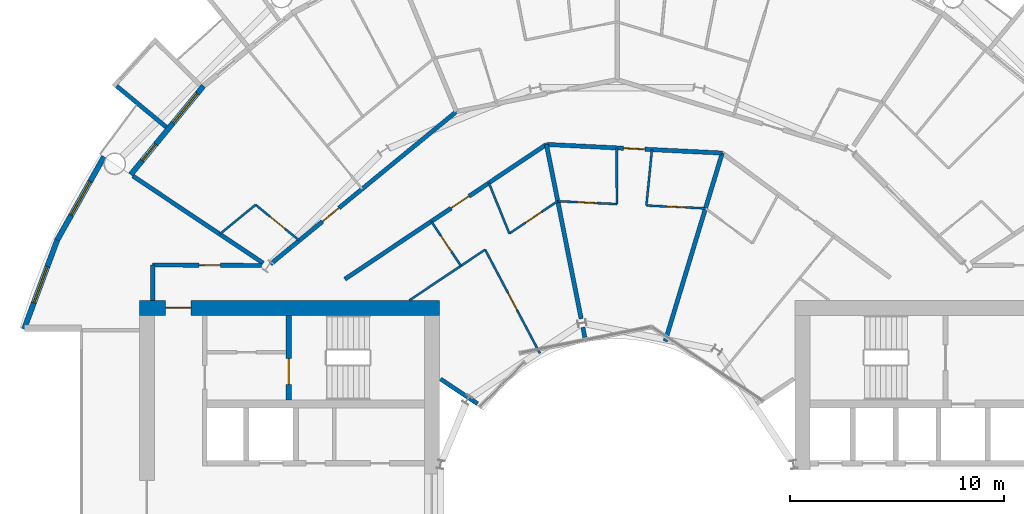
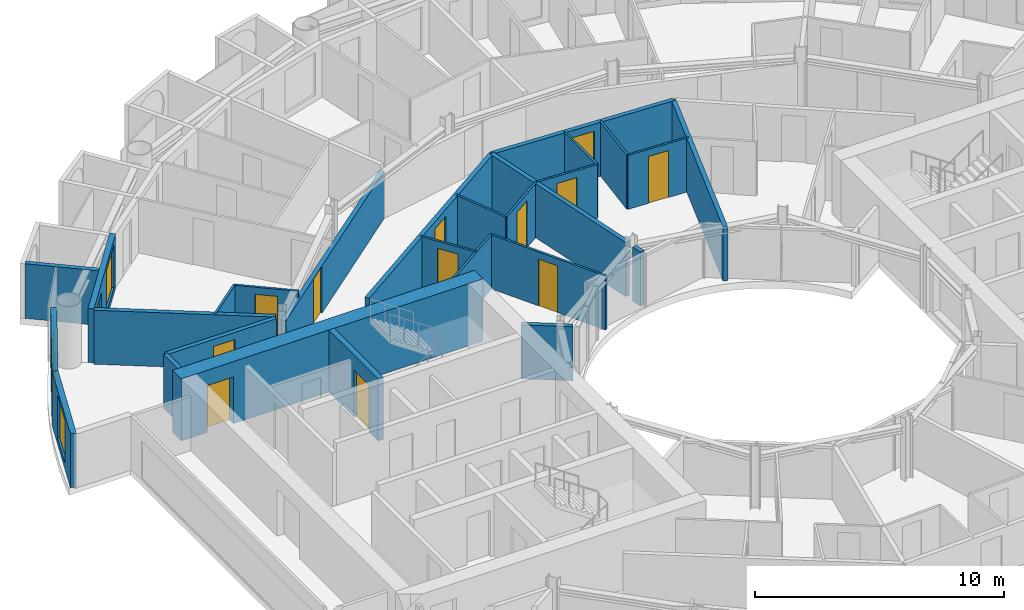
# One storey, part 18 of 25: 27 walls, 13 doors, 3 windows, 16 openings.
"""IFC4 building model written with IfcOpenShell, lengths in metres."""

import ifcopenshell
import ifcopenshell.guid

model = None  # the IFC model being written
_history = None  # IfcOwnerHistory: only IFC2X3 demands one
_inside = {}  # id of a spatial element -> (the spatial element, [elements in it])
_under = {}  # id of a project, library or spatial element -> (it, [spatial elements below it])
_declared = {}  # id of a project -> (the project, [libraries it declares])
_typed = {}  # id of a type object -> (the type object, [elements of that type])
_made_of = {}  # id of a material, layer set ... -> (it, [elements and type objects made of it])


def new_model(schema):
    """Start an empty IFC model of exactly this schema.

    Asked for "IFC4X3", IfcOpenShell would pick the latest addendum, in which some entities
    have other attributes; the version numbers below select the first issue.
    IFC2X3 requires an IfcOwnerHistory on every rooted entity: one is made here for all.
    """
    global model, _history
    if schema == "IFC4X3":
        model = ifcopenshell.file(schema_version=(4, 3, 0, 0))
    else:
        model = ifcopenshell.file(schema=schema)
    _inside.clear()
    _under.clear()
    _declared.clear()
    _typed.clear()
    _made_of.clear()
    _history = None
    if model.schema == "IFC2X3":
        org = make("IfcOrganization", Name="unknown")
        user = make(
            "IfcPersonAndOrganization",
            ThePerson=make("IfcPerson", FamilyName="unknown"),
            TheOrganization=org,
        )
        app = make(
            "IfcApplication",
            ApplicationDeveloper=org,
            Version="unknown",
            ApplicationFullName="unknown",
            ApplicationIdentifier="unknown",
        )
        _history = make(
            "IfcOwnerHistory",
            OwningUser=user,
            OwningApplication=app,
            ChangeAction="ADDED",
            CreationDate=0,
        )
    return model


def make(cls, **values):
    """One entity of the class cls with the attributes given. An attribute that is None is left unset."""
    return model.create_entity(
        cls, **{name: value for name, value in values.items() if value is not None}
    )


def rooted(cls, **values):
    """An entity with a GlobalId (a new one), such as an element, a storey or a relation."""
    return make(cls, GlobalId=ifcopenshell.guid.new(), OwnerHistory=_history, **values)


def si_unit(unit_type, name, prefix=None):
    """IfcSIUnit, for example si_unit("LENGTHUNIT", "METRE", prefix="MILLI")."""
    return make("IfcSIUnit", UnitType=unit_type, Prefix=prefix, Name=name)


def assignment(units):
    """IfcUnitAssignment: the units of a project."""
    return None if units is None else make("IfcUnitAssignment", Units=units)


def point(xyz):
    """IfcCartesianPoint."""
    return None if xyz is None else make("IfcCartesianPoint", Coordinates=xyz)


def direction(xyz):
    """IfcDirection."""
    return None if xyz is None else make("IfcDirection", DirectionRatios=xyz)


def frame(location, z_axis=None, x_axis=None):
    """IfcAxis2Placement3D, a coordinate frame: its origin and axes. An axis left out is left unset."""
    return make(
        "IfcAxis2Placement3D",
        Location=point(location),
        Axis=direction(z_axis),
        RefDirection=direction(x_axis),
    )


def frame_2d(location, x_axis=None):
    """IfcAxis2Placement2D, a coordinate frame in the plane: its origin and x axis."""
    return make(
        "IfcAxis2Placement2D", Location=point(location), RefDirection=direction(x_axis)
    )


def origin():
    """The frame at (0, 0, 0) with its axes left unset."""
    return frame((0.0, 0.0, 0.0))


def place(relative_to, where):
    """IfcLocalPlacement: puts the frame where relative to a parent placement (None: the world)."""
    return make(
        "IfcLocalPlacement", PlacementRelTo=relative_to, RelativePlacement=where
    )


def context(
    kind, dimensions, precision=None, world=None, true_north=None, identifier=None
):
    """IfcGeometricRepresentationContext, for example the 3D "Model" context."""
    return make(
        "IfcGeometricRepresentationContext",
        ContextIdentifier=identifier,
        ContextType=kind,
        CoordinateSpaceDimension=dimensions,
        Precision=precision,
        WorldCoordinateSystem=world,
        TrueNorth=true_north,
    )


def subcontext(parent, identifier, kind, view, scale=None):
    """IfcGeometricRepresentationSubContext, for example "Body" below "Model"."""
    return make(
        "IfcGeometricRepresentationSubContext",
        ContextIdentifier=identifier,
        ContextType=kind,
        ParentContext=parent,
        TargetScale=scale,
        TargetView=view,
    )


def project(units=None, contexts=None):
    """IfcProject with its units and contexts."""
    return rooted(
        "IfcProject",
        Name="project",
        RepresentationContexts=contexts,
        UnitsInContext=assignment(units),
    )


def spatial(cls, under=None, at=None, **own):
    """A site, building, storey or space (cls), placed at a placement, below another one or the project."""
    s = rooted(cls, ObjectPlacement=at, **own)
    if under is not None:
        _under.setdefault(under.id(), (under, []))[1].append(s)
    return s


def profile(cls, at=None, kind="AREA", **sizes):
    """A parametric profile (cls). Its sizes go by their IFC names, for example OverallWidth=200.0."""
    return make(cls, ProfileType=kind, Position=at, **sizes)


def rectangle(**sizes):
    """IfcRectangleProfileDef."""
    return profile("IfcRectangleProfileDef", **sizes)


def extrude(swept, where, along, depth):
    """IfcExtrudedAreaSolid: the profile swept, set in the frame where, extruded along a direction by depth."""
    return make(
        "IfcExtrudedAreaSolid",
        SweptArea=swept,
        Position=where,
        ExtrudedDirection=direction(along),
        Depth=depth,
    )


def shape(context_of_items, identifier, shape_type, items):
    """IfcShapeRepresentation: the items that make up one representation, for example the "Body"."""
    return make(
        "IfcShapeRepresentation",
        ContextOfItems=context_of_items,
        RepresentationIdentifier=identifier,
        RepresentationType=shape_type,
        Items=items,
    )


def material(Name=None, Category=None):
    """IfcMaterial."""
    return make("IfcMaterial", Name=Name, Category=Category)


def layer(
    of_material, thickness, ventilated=None, Name=None, Category=None, Priority=None
):
    """IfcMaterialLayer: one layer of a wall or slab, of a material (None: an air gap)."""
    return make(
        "IfcMaterialLayer",
        Material=of_material,
        LayerThickness=thickness,
        IsVentilated=ventilated,
        Name=Name,
        Category=Category,
        Priority=Priority,
    )


def layer_set(layers, Name=None):
    """IfcMaterialLayerSet."""
    return make("IfcMaterialLayerSet", MaterialLayers=layers, LayerSetName=Name)


def made_of(thing, what):
    """Note that an element or type object is made of a material, layer set ...; save() writes the relation."""
    if what is not None:
        _made_of.setdefault(what.id(), (what, []))[1].append(thing)
    return thing


def type_object(cls, material=None, **own):
    """A type object (cls), such as IfcWallType, which elements share."""
    return made_of(rooted(cls, **own), material)


def element(
    cls,
    number,
    at=None,
    inside=None,
    cuts=None,
    type_object=None,
    material=None,
    context=None,
    identifier="Body",
    shape_type=None,
    held_by="IfcProductDefinitionShape",
    body=None,
    shapes=None,
    **own,
):
    """One element of the class cls, such as IfcWall. Its Tag is "e" and its number.

    at: its placement. inside: the storey or other place that contains it. cuts: it is an
    opening in that element (IfcRelVoidsElement). A single representation is given by context,
    identifier, shape_type and body (its items); several are given by shapes. held_by: the class
    of the entity that holds the representations. save() writes the other relations.
    """
    e = rooted(cls, Tag="e%d" % number, ObjectPlacement=at, **own)
    if body is not None:
        shapes = [shape(context, identifier, shape_type, body)]
    if shapes is not None:
        e.Representation = make(held_by, Representations=shapes)
    if inside is not None:
        _inside.setdefault(inside.id(), (inside, []))[1].append(e)
    if cuts is not None:
        rooted(
            "IfcRelVoidsElement", RelatingBuildingElement=cuts, RelatedOpeningElement=e
        )
    if type_object is not None:
        _typed.setdefault(type_object.id(), (type_object, []))[1].append(e)
    return made_of(e, material)


def fill(opening, filler):
    """IfcRelFillsElement: the door or window that sits in an opening."""
    return rooted(
        "IfcRelFillsElement",
        RelatingOpeningElement=opening,
        RelatedBuildingElement=filler,
    )


def aggregate(whole, parts):
    """IfcRelAggregates: a whole, such as a stair, and the parts it consists of."""
    return rooted("IfcRelAggregates", RelatingObject=whole, RelatedObjects=parts)


def save(model, path):
    """Write the relations noted so far, then the file.

    IfcRelAggregates (storeys below a building ...), IfcRelContainedInSpatialStructure (elements
    in a storey), IfcRelDefinesByType, IfcRelAssociatesMaterial and IfcRelDeclares: one each for
    every whole, place, type object, material and project.
    """
    for whole, parts in _under.values():
        aggregate(whole, parts)
    for where, things in _inside.values():
        rooted(
            "IfcRelContainedInSpatialStructure",
            RelatedElements=things,
            RelatingStructure=where,
        )
    for kind, things in _typed.values():
        rooted("IfcRelDefinesByType", RelatedObjects=things, RelatingType=kind)
    for what, things in _made_of.values():
        rooted("IfcRelAssociatesMaterial", RelatedObjects=things, RelatingMaterial=what)
    for by, libraries in _declared.values():
        rooted("IfcRelDeclares", RelatingContext=by, RelatedDefinitions=libraries)
    model.write(path)


model = new_model("IFC4")

# Units and contexts
model_context = context("Model", 3, precision=1e-05, world=origin(), true_north=direction((0.0, 1.0)))
body_context = subcontext(model_context, "Body", "Model", "MODEL_VIEW")
ifc_project = project(units=[si_unit("LENGTHUNIT", "METRE"), si_unit("AREAUNIT", "SQUARE_METRE"), si_unit("VOLUMEUNIT", "CUBIC_METRE"), si_unit("PLANEANGLEUNIT", "RADIAN"), si_unit("MASSUNIT", "GRAM", prefix="KILO")], contexts=[model_context])

# Site, building, storey
site_placement = place(None, origin())
site = spatial("IfcSite", under=ifc_project, at=site_placement, CompositionType="ELEMENT")
building_placement = place(site_placement, origin())
building = spatial("IfcBuilding", under=site, at=building_placement, Name="Maasbend Ring Residences", CompositionType="ELEMENT")
storey_placement = place(building_placement, frame((0.0, 0.0, 94.10009765625)))
storey = spatial("IfcBuildingStorey", under=building, at=storey_placement, Name="L27", CompositionType="ELEMENT", Elevation=94.10009765625)

# Wall, opening, door
ifc_material_1 = material(Name="Concrete C70/85", Category="concrete")
ifc_layer_1 = layer(ifc_material_1, 0.25)
ifc_layer_set_1 = layer_set([ifc_layer_1], Name="Concrete C70/85")
wall_type_1 = type_object("IfcWallType", Name="CORE WALL 250 C70/85", PredefinedType="SHEAR", material=ifc_layer_set_1)
wall_1_placement = place(storey_placement, frame((-15.324951171875, 8.60009765625, 0.0), z_axis=(0.0, 0.0, 1.0), x_axis=(0.0, -1.0, 0.0)))
wall_1 = element("IfcWall", 1, at=wall_1_placement, inside=storey, type_object=wall_type_1, Name="L27 core W wall STES", PredefinedType="SHEAR", context=body_context, shape_type="SweptSolid", body=[
    extrude(rectangle(XDim=3.9501953125, YDim=0.25, at=frame_2d((1.97509765625, 0.0))), origin(), (0.0, 0.0, 1.0), 3.0498046875),
])
opening_1_placement = place(wall_1_placement, frame((2.02490234375, 0.0, 0.0)))
opening_1 = element("IfcOpeningElement", 2, at=opening_1_placement, cuts=wall_1, Name="Opening D-W2710", PredefinedType="OPENING", context=body_context, shape_type="SweptSolid", body=[
    extrude(rectangle(XDim=1.199951171875, YDim=2.300048828125, at=frame_2d((0.60009765625, 1.14990234375))), frame((0.0, 0.135009765625, 0.0), z_axis=(0.0, -1.0, 0.0), x_axis=(1.0, 0.0, 0.0)), (0.0, 0.0, 1.0), 0.27001953125),
])
ifc_material_2 = material(Name="Steel, powder coated", Category="steel")
door_type_1 = type_object("IfcDoorType", Name="STAIR DOOR 1200 X 2300 FD60", OperationType="NOTDEFINED", PredefinedType="DOOR", material=ifc_material_2)
door_1_placement = place(opening_1_placement, origin())
door_1 = element("IfcDoor", 3, at=door_1_placement, inside=storey, type_object=door_type_1, Name="Stair door ST-W L27", OperationType="SINGLE_SWING_LEFT", OverallHeight=2.300048828125, OverallWidth=1.199951171875, PredefinedType="DOOR", context=body_context, shape_type="SweptSolid", body=[
    extrude(rectangle(XDim=1.199951171875, YDim=2.300048828125, at=frame_2d((0.60009765625, 1.14990234375))), frame((0.0, 0.02490234375, 0.0), z_axis=(0.0, -1.0, 0.0), x_axis=(1.0, 0.0, 0.0)), (0.0, 0.0, 1.0), 0.050048828125),
])
fill(opening_1, door_1)

ifc_material_3 = material(Name="Concrete C70/85", Category="concrete")
ifc_layer_2 = layer(ifc_material_3, 0.699951171875)
ifc_layer_set_2 = layer_set([ifc_layer_2], Name="Concrete C70/85")
wall_type_2 = type_object("IfcWallType", Name="CORE WALL 700 C70/85", PredefinedType="SHEAR", material=ifc_layer_set_2)
wall_2_placement = place(storey_placement, frame((-8.300048828125, 8.949951171875, 0.0), z_axis=(0.0, 0.0, 1.0), x_axis=(-1.0, 0.0, 0.0)))
wall_2 = element("IfcWall", 4, at=wall_2_placement, inside=storey, type_object=wall_type_2, Name="L27 core W wall PS", PredefinedType="SHEAR", context=body_context, shape_type="SweptSolid", body=[
    extrude(rectangle(XDim=14.0, YDim=0.699951171875, at=frame_2d((7.0, 0.0))), origin(), (0.0, 0.0, 1.0), 3.0498046875),
])
opening_2_placement = place(wall_2_placement, frame((11.574951171875, 0.0, 0.0)))
opening_2 = element("IfcOpeningElement", 5, at=opening_2_placement, cuts=wall_2, Name="Opening D-W2714", PredefinedType="OPENING", context=body_context, shape_type="SweptSolid", body=[
    extrude(rectangle(XDim=1.199951171875, YDim=2.300048828125, at=frame_2d((0.60009765625, 1.14990234375))), frame((0.0, 0.35986328125, 0.0), z_axis=(0.0, -1.0, 0.0), x_axis=(1.0, 0.0, 0.0)), (0.0, 0.0, 1.0), 0.719970703125),
])
ifc_material_4 = material(Name="Steel, powder coated", Category="steel")
door_type_2 = type_object("IfcDoorType", Name="CORRIDOR DOOR 1200 X 2300 FD30S", OperationType="NOTDEFINED", PredefinedType="DOOR", material=ifc_material_4)
door_2_placement = place(opening_2_placement, origin())
door_2 = element("IfcDoor", 6, at=door_2_placement, inside=storey, type_object=door_type_2, Name="Corridor door L27", OperationType="SINGLE_SWING_LEFT", OverallHeight=2.300048828125, OverallWidth=1.199951171875, PredefinedType="DOOR", context=body_context, shape_type="SweptSolid", body=[
    extrude(rectangle(XDim=1.199951171875, YDim=2.300048828125, at=frame_2d((0.60009765625, 1.14990234375))), frame((0.0, 0.02490234375, 0.0), z_axis=(0.0, -1.0, 0.0), x_axis=(1.0, 0.0, 0.0)), (0.0, 0.0, 1.0), 0.050048828125),
])
fill(opening_2, door_2)

ifc_material_5 = material(Name="Concrete C30/37", Category="concrete")
ifc_layer_3 = layer(ifc_material_5, 0.199951171875)
ifc_layer_set_3 = layer_set([ifc_layer_3], Name="Concrete C30/37")
wall_type_3 = type_object("IfcWallType", Name="CORRIDOR WALL 200 CONCRETE", PredefinedType="PARTITIONING", material=ifc_layer_set_3)
wall_3_placement = place(storey_placement, frame((-21.675048828125, 10.949951171875, 0.0), z_axis=(0.0, 0.0, 1.0), x_axis=(0.999988944514, -0.004702217579, 0.0)))
wall_3 = element("IfcWall", 7, at=wall_3_placement, inside=storey, type_object=wall_type_3, Name="U-L27-w088", PredefinedType="PARTITIONING", context=body_context, shape_type="SweptSolid", body=[
    extrude(rectangle(XDim=5.088134765625, YDim=0.199951171875, at=frame_2d((2.5439453125, 0.0))), origin(), (0.0, 0.0, 1.0), 2.64990234375),
])
opening_3_placement = place(wall_3_placement, frame((2.162109375, 0.0, 0.0)))
opening_3 = element("IfcOpeningElement", 8, at=opening_3_placement, cuts=wall_3, Name="Opening D-2764", PredefinedType="OPENING", context=body_context, shape_type="SweptSolid", body=[
    extrude(rectangle(XDim=1.0, YDim=2.300048828125, at=frame_2d((0.5, 1.14990234375))), frame((0.0, 0.10986328125, 0.0), z_axis=(0.0, -1.0, 0.0), x_axis=(1.0, 0.0, 0.0)), (0.0, 0.0, 1.0), 0.219970703125),
])
ifc_material_6 = material(Name="Timber, painted", Category="wood")
door_type_3 = type_object("IfcDoorType", Name="ROOM DOOR 1000 X 2300", OperationType="NOTDEFINED", PredefinedType="DOOR", material=ifc_material_6)
door_3_placement = place(opening_3_placement, origin())
door_3 = element("IfcDoor", 9, at=door_3_placement, inside=storey, type_object=door_type_3, Name="D-2764", OperationType="SINGLE_SWING_RIGHT", OverallHeight=2.300048828125, OverallWidth=1.0, PredefinedType="DOOR", context=body_context, shape_type="SweptSolid", body=[
    extrude(rectangle(XDim=1.0, YDim=2.300048828125, at=frame_2d((0.5, 1.14990234375))), frame((0.0, 0.02490234375, 0.0), z_axis=(0.0, -1.0, 0.0), x_axis=(1.0, 0.0, 0.0)), (0.0, 0.0, 1.0), 0.050048828125),
])
fill(opening_3, door_3)

wall_4_placement = place(storey_placement, frame((-12.7080078125, 10.285888671875, 0.0), z_axis=(0.0, 0.0, 1.0), x_axis=(0.831405725802, 0.555665834026, 0.0)))
wall_4 = element("IfcWall", 10, at=wall_4_placement, inside=storey, type_object=wall_type_3, Name="U-L27-w095", PredefinedType="PARTITIONING", context=body_context, shape_type="SweptSolid", body=[
    extrude(rectangle(XDim=11.314453125, YDim=0.199951171875, at=frame_2d((5.6572265625, 0.0))), origin(), (0.0, 0.0, 1.0), 2.64990234375),
])
opening_4_placement = place(wall_4_placement, frame((5.968994140625, 0.0, 0.0)))
opening_4 = element("IfcOpeningElement", 11, at=opening_4_placement, cuts=wall_4, Name="Opening D-2728", PredefinedType="OPENING", context=body_context, shape_type="SweptSolid", body=[
    extrude(rectangle(XDim=1.0, YDim=2.300048828125, at=frame_2d((0.5, 1.14990234375))), frame((0.0, 0.10986328125, 0.0), z_axis=(0.0, -1.0, 0.0), x_axis=(1.0, 0.0, 0.0)), (0.0, 0.0, 1.0), 0.219970703125),
])
ifc_material_7 = material(Name="Timber, fire-rated, painted", Category="wood")
door_type_4 = type_object("IfcDoorType", Name="FLAT ENTRANCE DOOR 1000 X 2300 FIRE-RATED", OperationType="NOTDEFINED", PredefinedType="DOOR", material=ifc_material_7)
door_4_placement = place(opening_4_placement, origin())
door_4 = element("IfcDoor", 12, at=door_4_placement, inside=storey, type_object=door_type_4, Name="D-2728", OperationType="SINGLE_SWING_RIGHT", OverallHeight=2.300048828125, OverallWidth=1.0, PredefinedType="DOOR", context=body_context, shape_type="SweptSolid", body=[
    extrude(rectangle(XDim=1.0, YDim=2.300048828125, at=frame_2d((0.5, 1.14990234375))), frame((0.0, 0.02490234375, 0.0), z_axis=(0.0, -1.0, 0.0), x_axis=(1.0, 0.0, 0.0)), (0.0, 0.0, 1.0), 0.050048828125),
])
fill(opening_4, door_4)

wall_5_placement = place(storey_placement, frame((-3.298095703125, 16.573974609375, 0.0), z_axis=(0.0, 0.0, 1.0), x_axis=(0.998802523271, -0.048923608895, 0.0)))
wall_5 = element("IfcWall", 13, at=wall_5_placement, inside=storey, type_object=wall_type_3, Name="U-L27-w097", PredefinedType="PARTITIONING", context=body_context, shape_type="SweptSolid", body=[
    extrude(rectangle(XDim=8.2138671875, YDim=0.199951171875, at=frame_2d((4.10693359375, 0.0))), origin(), (0.0, 0.0, 1.0), 2.64990234375),
])
opening_5_placement = place(wall_5_placement, frame((3.60009765625, 0.0, 0.0)))
opening_5 = element("IfcOpeningElement", 14, at=opening_5_placement, cuts=wall_5, Name="Opening D-2725", PredefinedType="OPENING", context=body_context, shape_type="SweptSolid", body=[
    extrude(rectangle(XDim=1.0, YDim=2.300048828125, at=frame_2d((0.5, 1.14990234375))), frame((0.0, 0.10986328125, 0.0), z_axis=(0.0, -1.0, 0.0), x_axis=(1.0, 0.0, 0.0)), (0.0, 0.0, 1.0), 0.219970703125),
])
door_5_placement = place(opening_5_placement, origin())
door_5 = element("IfcDoor", 15, at=door_5_placement, inside=storey, type_object=door_type_4, Name="D-2725", OperationType="SINGLE_SWING_LEFT", OverallHeight=2.300048828125, OverallWidth=1.0, PredefinedType="DOOR", context=body_context, shape_type="SweptSolid", body=[
    extrude(rectangle(XDim=1.0, YDim=2.300048828125, at=frame_2d((0.5, 1.14990234375))), frame((0.0, 0.02490234375, 0.0), z_axis=(0.0, -1.0, 0.0), x_axis=(1.0, 0.0, 0.0)), (0.0, 0.0, 1.0), 0.050048828125),
])
fill(opening_5, door_5)

wall_6_placement = place(storey_placement, frame((-16.173095703125, 10.990966796875, 0.0), z_axis=(0.0, 0.0, 1.0), x_axis=(0.773049018445, 0.634346289562, 0.0)))
wall_6 = element("IfcWall", 16, at=wall_6_placement, inside=storey, type_object=wall_type_3, Name="U-L27-w099", PredefinedType="PARTITIONING", context=body_context, shape_type="SweptSolid", body=[
    extrude(rectangle(XDim=11.21923828125, YDim=0.199951171875, at=frame_2d((5.609619140625, 0.0))), origin(), (0.0, 0.0, 1.0), 2.329833984375),
])
opening_6_placement = place(wall_6_placement, frame((3.135009765625, 0.0, 0.0)))
opening_6 = element("IfcOpeningElement", 17, at=opening_6_placement, cuts=wall_6, Name="Opening D-2715", PredefinedType="OPENING", context=body_context, shape_type="SweptSolid", body=[
    extrude(rectangle(XDim=1.0, YDim=2.300048828125, at=frame_2d((0.5, 1.14990234375))), frame((0.0, 0.10986328125, 0.0), z_axis=(0.0, -1.0, 0.0), x_axis=(1.0, 0.0, 0.0)), (0.0, 0.0, 1.0), 0.219970703125),
])
door_6_placement = place(opening_6_placement, origin())
door_6 = element("IfcDoor", 18, at=door_6_placement, inside=storey, type_object=door_type_4, Name="D-2715", OperationType="SINGLE_SWING_LEFT", OverallHeight=2.300048828125, OverallWidth=1.0, PredefinedType="DOOR", context=body_context, shape_type="SweptSolid", body=[
    extrude(rectangle(XDim=1.0, YDim=2.300048828125, at=frame_2d((0.5, 1.14990234375))), frame((0.0, 0.02490234375, 0.0), z_axis=(0.0, -1.0, 0.0), x_axis=(1.0, 0.0, 0.0)), (0.0, 0.0, 1.0), 0.050048828125),
])
fill(opening_6, door_6)

# Walls
wall_7_placement = place(storey_placement, frame((-21.675048828125, 9.300048828125, 0.0), z_axis=(0.0, 0.0, 1.0), x_axis=(0.0, 1.0, 0.0)))
element("IfcWall", 19, at=wall_7_placement, inside=storey, type_object=wall_type_3, Name="U-L27-w107", PredefinedType="PARTITIONING", context=body_context, shape_type="SweptSolid", body=[
    extrude(rectangle(XDim=1.64990234375, YDim=0.199951171875, at=frame_2d((0.824951171875, 0.0))), origin(), (0.0, 0.0, 1.0), 2.64990234375),
])
ifc_material_8 = material(Name="Pale anodised aluminium panel", Category="aluminium")
ifc_layer_4 = layer(ifc_material_8, 0.199951171875)
ifc_layer_set_4 = layer_set([ifc_layer_4], Name="EW-BOX")
wall_type_4 = type_object("IfcWallType", Name="EW-BOX", PredefinedType="SOLIDWALL", material=ifc_layer_set_4)
wall_8_placement = place(storey_placement, frame((-21.041015625, 17.384033203125, -0.030029296875), z_axis=(0.0, 0.0, 1.0), x_axis=(-0.770784861449, 0.63709551667, 0.0)))
element("IfcWall", 20, at=wall_8_placement, inside=storey, type_object=wall_type_4, Name="Box side wall N19 right", PredefinedType="SOLIDWALL", context=body_context, shape_type="SweptSolid", body=[
    extrude(rectangle(XDim=3.005859375, YDim=0.199951171875, at=frame_2d((1.5029296875, 0.0))), origin(), (0.0, 0.0, 1.0), 2.679931640625),
])

# Wall, openings, door, window
ifc_material_9 = material(Name="Aluminium clad insulated panel", Category="aluminium")
ifc_layer_5 = layer(ifc_material_9, 0.25)
ifc_layer_set_5 = layer_set([ifc_layer_5], Name="EW-GL")
wall_type_5 = type_object("IfcWallType", Name="EW-GL", PredefinedType="SOLIDWALL", material=ifc_layer_set_5)
wall_9_placement = place(storey_placement, frame((-19.303955078125, 19.303955078125, 0.0), z_axis=(0.0, 0.0, 1.0), x_axis=(-0.634382322723, -0.773019449054, 0.0)))
wall_9 = element("IfcWall", 21, at=wall_9_placement, inside=storey, type_object=wall_type_5, Name="External wall N10", PredefinedType="SOLIDWALL", context=body_context, shape_type="SweptSolid", body=[
    extrude(rectangle(XDim=5.351806640625, YDim=0.25, at=frame_2d((2.67578125, 0.0))), origin(), (0.0, 0.0, 1.0), 2.64990234375),
])
opening_7_placement = place(wall_9_placement, frame((0.441162109375, 0.0, 0.300048828125)))
opening_7 = element("IfcOpeningElement", 22, at=opening_7_placement, cuts=wall_9, Name="Opening W-BX", PredefinedType="OPENING", context=body_context, shape_type="SweptSolid", body=[
    extrude(rectangle(XDim=1.800048828125, YDim=2.10009765625, at=frame_2d((0.89990234375, 1.050048828125))), frame((0.0, 0.135009765625, 0.0), z_axis=(0.0, -1.0, 0.0), x_axis=(1.0, 0.0, 0.0)), (0.0, 0.0, 1.0), 0.27001953125),
])
opening_8_placement = place(wall_9_placement, frame((3.510498046875, 0.0, 0.0)))
opening_8 = element("IfcOpeningElement", 23, at=opening_8_placement, cuts=wall_9, Name="Opening D-LG", PredefinedType="OPENING", context=body_context, shape_type="SweptSolid", body=[
    extrude(rectangle(XDim=1.0, YDim=2.199951171875, at=frame_2d((0.5, 1.10009765625))), frame((0.0, 0.135009765625, 0.0), z_axis=(0.0, -1.0, 0.0), x_axis=(1.0, 0.0, 0.0)), (0.0, 0.0, 1.0), 0.27001953125),
])
ifc_material_10 = material(Name="Aluminium and clear glass", Category="aluminium")
door_type_5 = type_object("IfcDoorType", Name="D-LG", OperationType="SINGLE_SWING_LEFT", PredefinedType="DOOR", material=ifc_material_10)
door_7_placement = place(opening_8_placement, origin())
door_7 = element("IfcDoor", 24, at=door_7_placement, inside=storey, type_object=door_type_5, Name="Loggia door N20", OperationType="SINGLE_SWING_LEFT", OverallHeight=2.199951171875, OverallWidth=1.0, PredefinedType="DOOR", context=body_context, shape_type="SweptSolid", body=[
    extrude(rectangle(XDim=1.0, YDim=2.199951171875, at=frame_2d((0.5, 1.10009765625))), frame((0.0, 0.02490234375, 0.0), z_axis=(0.0, -1.0, 0.0), x_axis=(1.0, 0.0, 0.0)), (0.0, 0.0, 1.0), 0.050048828125),
])
fill(opening_8, door_7)
ifc_material_11 = material(Name="Aluminium and clear glass", Category="aluminium")
window_type = type_object("IfcWindowType", Name="W-BX", PartitioningType="DOUBLE_PANEL_VERTICAL", PredefinedType="WINDOW", material=ifc_material_11)
window_1_placement = place(opening_7_placement, origin())
window_1 = element("IfcWindow", 25, at=window_1_placement, inside=storey, type_object=window_type, Name="Window N19 room to box", OverallHeight=2.10009765625, OverallWidth=1.800048828125, PartitioningType="SINGLE_PANEL", PredefinedType="WINDOW", context=body_context, shape_type="SweptSolid", body=[
    extrude(rectangle(XDim=1.800048828125, YDim=2.10009765625, at=frame_2d((0.89990234375, 1.050048828125))), frame((0.0, 0.030029296875, 0.0), z_axis=(0.0, -1.0, 0.0), x_axis=(1.0, 0.0, 0.0)), (0.0, 0.0, 1.0), 0.06005859375),
])
fill(opening_7, window_1)

# Wall, opening, window
ifc_material_12 = material(Name="Aluminium clad insulated panel", Category="aluminium")
ifc_layer_6 = layer(ifc_material_12, 0.25)
ifc_layer_set_6 = layer_set([ifc_layer_6], Name="EW-HORN")
wall_type_6 = type_object("IfcWallType", Name="EW-HORN", PredefinedType="SOLIDWALL", material=ifc_layer_set_6)
wall_10_placement = place(storey_placement, frame((-23.946044921875, 16.0, 0.0), z_axis=(0.0, 0.0, 1.0), x_axis=(-0.489696356642, -0.871893042919, 0.0)))
wall_10 = element("IfcWall", 26, at=wall_10_placement, inside=storey, type_object=wall_type_6, Name="Horn wall 4.1", PredefinedType="SOLIDWALL", context=body_context, shape_type="SweptSolid", body=[
    extrude(rectangle(XDim=4.45361328125, YDim=0.25, at=frame_2d((2.226806640625, 0.0))), origin(), (0.0, 0.0, 1.0), 2.64990234375),
])
opening_9_placement = place(wall_10_placement, frame((1.32666015625, 0.0, 0.300048828125)))
opening_9 = element("IfcOpeningElement", 27, at=opening_9_placement, cuts=wall_10, Name="Opening W-BX", PredefinedType="OPENING", context=body_context, shape_type="SweptSolid", body=[
    extrude(rectangle(XDim=1.800048828125, YDim=2.10009765625, at=frame_2d((0.89990234375, 1.050048828125))), frame((0.0, 0.135009765625, 0.0), z_axis=(0.0, -1.0, 0.0), x_axis=(1.0, 0.0, 0.0)), (0.0, 0.0, 1.0), 0.27001953125),
])
window_2_placement = place(opening_9_placement, origin())
window_2 = element("IfcWindow", 28, at=window_2_placement, inside=storey, type_object=window_type, Name="Horn window 4.1", OverallHeight=2.10009765625, OverallWidth=1.800048828125, PartitioningType="SINGLE_PANEL", PredefinedType="WINDOW", context=body_context, shape_type="SweptSolid", body=[
    extrude(rectangle(XDim=1.800048828125, YDim=2.10009765625, at=frame_2d((0.89990234375, 1.050048828125))), frame((0.0, 0.030029296875, 0.0), z_axis=(0.0, -1.0, 0.0), x_axis=(1.0, 0.0, 0.0)), (0.0, 0.0, 1.0), 0.06005859375),
])
fill(opening_9, window_2)

wall_11_placement = place(storey_placement, frame((-26.126953125, 12.116943359375, 0.0), z_axis=(0.0, 0.0, 1.0), x_axis=(-0.349247811493, -0.937030397675, 0.0)))
wall_11 = element("IfcWall", 29, at=wall_11_placement, inside=storey, type_object=wall_type_6, Name="Horn wall 4.2", PredefinedType="SOLIDWALL", context=body_context, shape_type="SweptSolid", body=[
    extrude(rectangle(XDim=4.4521484375, YDim=0.25, at=frame_2d((2.22607421875, 0.0))), origin(), (0.0, 0.0, 1.0), 2.64990234375),
])
opening_10_placement = place(wall_11_placement, frame((1.32666015625, 0.0, 0.300048828125)))
opening_10 = element("IfcOpeningElement", 30, at=opening_10_placement, cuts=wall_11, Name="Opening W-BX", PredefinedType="OPENING", context=body_context, shape_type="SweptSolid", body=[
    extrude(rectangle(XDim=1.800048828125, YDim=2.10009765625, at=frame_2d((0.89990234375, 1.050048828125))), frame((0.0, 0.135009765625, 0.0), z_axis=(0.0, -1.0, 0.0), x_axis=(1.0, 0.0, 0.0)), (0.0, 0.0, 1.0), 0.27001953125),
])
window_3_placement = place(opening_10_placement, origin())
window_3 = element("IfcWindow", 31, at=window_3_placement, inside=storey, type_object=window_type, Name="Horn window 4.2", OverallHeight=2.10009765625, OverallWidth=1.800048828125, PartitioningType="SINGLE_PANEL", PredefinedType="WINDOW", context=body_context, shape_type="SweptSolid", body=[
    extrude(rectangle(XDim=1.800048828125, YDim=2.10009765625, at=frame_2d((0.89990234375, 1.050048828125))), frame((0.0, 0.030029296875, 0.0), z_axis=(0.0, -1.0, 0.0), x_axis=(1.0, 0.0, 0.0)), (0.0, 0.0, 1.0), 0.06005859375),
])
fill(opening_10, window_3)

# Wall, opening, door
ifc_material_13 = material(Name="Gypsum board on steel studs", Category="steel")
ifc_layer_7 = layer(ifc_material_13, 0.10009765625)
ifc_layer_set_7 = layer_set([ifc_layer_7], Name="PARTITION 100 GYPSUM")
wall_type_7 = type_object("IfcWallType", Name="PARTITION 100 GYPSUM", PredefinedType="PARTITIONING", material=ifc_layer_set_7)
wall_12_placement = place(storey_placement, frame((-16.8740234375, 13.758056640625, 0.0), z_axis=(0.0, 0.0, 1.0), x_axis=(0.774979608522, -0.631986239072, 0.0)))
wall_12 = element("IfcWall", 32, at=wall_12_placement, inside=storey, type_object=wall_type_7, Name="U-L27-w034", PredefinedType="PARTITIONING", context=body_context, shape_type="SweptSolid", body=[
    extrude(rectangle(XDim=2.63623046875, YDim=0.10009765625, at=frame_2d((1.318115234375, 0.0))), origin(), (0.0, 0.0, 1.0), 2.64990234375),
])
opening_11_placement = place(wall_12_placement, frame((0.867919921875, 0.0, 0.0)))
opening_11 = element("IfcOpeningElement", 33, at=opening_11_placement, cuts=wall_12, Name="Opening D-2716", PredefinedType="OPENING", context=body_context, shape_type="SweptSolid", body=[
    extrude(rectangle(XDim=0.89990234375, YDim=2.300048828125, at=frame_2d((0.449951171875, 1.14990234375))), frame((0.0, 0.06005859375, 0.0), z_axis=(0.0, -1.0, 0.0), x_axis=(1.0, 0.0, 0.0)), (0.0, 0.0, 1.0), 0.1201171875),
])
ifc_material_14 = material(Name="Timber, painted", Category="wood")
door_type_6 = type_object("IfcDoorType", Name="INTERNAL DOOR 900 X 2300", OperationType="NOTDEFINED", PredefinedType="DOOR", material=ifc_material_14)
door_8_placement = place(opening_11_placement, origin())
door_8 = element("IfcDoor", 34, at=door_8_placement, inside=storey, type_object=door_type_6, Name="D-2716", OperationType="SINGLE_SWING_LEFT", OverallHeight=2.300048828125, OverallWidth=0.89990234375, PredefinedType="DOOR", context=body_context, shape_type="SweptSolid", body=[
    extrude(rectangle(XDim=0.89990234375, YDim=2.300048828125, at=frame_2d((0.449951171875, 1.14990234375))), frame((0.0, 0.02490234375, 0.0), z_axis=(0.0, -1.0, 0.0), x_axis=(1.0, 0.0, 0.0)), (0.0, 0.0, 1.0), 0.050048828125),
])
fill(opening_11, door_8)

wall_13_placement = place(storey_placement, frame((-8.674072265625, 12.98193359375, 0.0), z_axis=(0.0, 0.0, 1.0), x_axis=(0.555355163998, -0.831613276602, 0.0)))
wall_13 = element("IfcWall", 35, at=wall_13_placement, inside=storey, type_object=wall_type_7, Name="U-L27-w041", PredefinedType="PARTITIONING", context=body_context, shape_type="SweptSolid", body=[
    extrude(rectangle(XDim=2.493896484375, YDim=0.10009765625, at=frame_2d((1.2470703125, 0.0))), origin(), (0.0, 0.0, 1.0), 2.64990234375),
])
opening_12_placement = place(wall_13_placement, frame((0.797119140625, 0.0, 0.0)))
opening_12 = element("IfcOpeningElement", 36, at=opening_12_placement, cuts=wall_13, Name="Opening D-2730", PredefinedType="OPENING", context=body_context, shape_type="SweptSolid", body=[
    extrude(rectangle(XDim=0.89990234375, YDim=2.300048828125, at=frame_2d((0.449951171875, 1.14990234375))), frame((0.0, 0.06005859375, 0.0), z_axis=(0.0, -1.0, 0.0), x_axis=(1.0, 0.0, 0.0)), (0.0, 0.0, 1.0), 0.1201171875),
])
door_9_placement = place(opening_12_placement, origin())
door_9 = element("IfcDoor", 37, at=door_9_placement, inside=storey, type_object=door_type_6, Name="D-2730", OperationType="SINGLE_SWING_RIGHT", OverallHeight=2.300048828125, OverallWidth=0.89990234375, PredefinedType="DOOR", context=body_context, shape_type="SweptSolid", body=[
    extrude(rectangle(XDim=0.89990234375, YDim=2.300048828125, at=frame_2d((0.449951171875, 1.14990234375))), frame((0.0, 0.02490234375, 0.0), z_axis=(0.0, -1.0, 0.0), x_axis=(1.0, 0.0, 0.0)), (0.0, 0.0, 1.0), 0.050048828125),
])
fill(opening_12, door_9)

wall_14_placement = place(storey_placement, frame((-6.158935546875, 11.6630859375, 0.0), z_axis=(0.0, 0.0, 1.0), x_axis=(0.466976820365, -0.884269556889, 0.0)))
wall_14 = element("IfcWall", 38, at=wall_14_placement, inside=storey, type_object=wall_type_7, Name="U-L27-w044", PredefinedType="PARTITIONING", context=body_context, shape_type="SweptSolid", body=[
    extrude(rectangle(XDim=5.46923828125, YDim=0.10009765625, at=frame_2d((2.734619140625, 0.0))), origin(), (0.0, 0.0, 1.0), 2.64990234375),
])
opening_13_placement = place(wall_14_placement, frame((2.283935546875, 0.0, 0.0)))
opening_13 = element("IfcOpeningElement", 39, at=opening_13_placement, cuts=wall_14, Name="Opening D-2731", PredefinedType="OPENING", context=body_context, shape_type="SweptSolid", body=[
    extrude(rectangle(XDim=0.89990234375, YDim=2.300048828125, at=frame_2d((0.449951171875, 1.14990234375))), frame((0.0, 0.06005859375, 0.0), z_axis=(0.0, -1.0, 0.0), x_axis=(1.0, 0.0, 0.0)), (0.0, 0.0, 1.0), 0.1201171875),
])
door_10_placement = place(opening_13_placement, origin())
door_10 = element("IfcDoor", 40, at=door_10_placement, inside=storey, type_object=door_type_6, Name="D-2731", OperationType="SINGLE_SWING_RIGHT", OverallHeight=2.300048828125, OverallWidth=0.89990234375, PredefinedType="DOOR", context=body_context, shape_type="SweptSolid", body=[
    extrude(rectangle(XDim=0.89990234375, YDim=2.300048828125, at=frame_2d((0.449951171875, 1.14990234375))), frame((0.0, 0.02490234375, 0.0), z_axis=(0.0, -1.0, 0.0), x_axis=(1.0, 0.0, 0.0)), (0.0, 0.0, 1.0), 0.050048828125),
])
fill(opening_13, door_10)

# Walls
wall_15_placement = place(storey_placement, frame((-5.986083984375, 14.779052734375, 0.0), z_axis=(0.0, 0.0, 1.0), x_axis=(0.375649498413, -0.926761811008, 0.0)))
element("IfcWall", 41, at=wall_15_placement, inside=storey, type_object=wall_type_7, Name="U-L27-w047", PredefinedType="PARTITIONING", context=body_context, shape_type="SweptSolid", body=[
    extrude(rectangle(XDim=2.547607421875, YDim=0.10009765625, at=frame_2d((1.27392578125, 0.0))), origin(), (0.0, 0.0, 1.0), 2.64990234375),
])
wall_16_placement = place(storey_placement, frame((-0.012939453125, 13.7919921875, 0.0), z_axis=(0.0, 0.0, 1.0), x_axis=(-0.001210427419, 0.999999267432, 0.0)))
element("IfcWall", 42, at=wall_16_placement, inside=storey, type_object=wall_type_7, Name="U-L27-w056", PredefinedType="PARTITIONING", context=body_context, shape_type="SweptSolid", body=[
    extrude(rectangle(XDim=2.6220703125, YDim=0.10009765625, at=frame_2d((1.31103515625, 0.0))), origin(), (0.0, 0.0, 1.0), 2.64990234375),
])
wall_17_placement = place(storey_placement, frame((1.364990234375, 13.72412109375, 0.0), z_axis=(0.0, 0.0, 1.0), x_axis=(0.099171803948, 0.995070325807, 0.0)))
element("IfcWall", 43, at=wall_17_placement, inside=storey, type_object=wall_type_7, Name="U-L27-w060", PredefinedType="PARTITIONING", context=body_context, shape_type="SweptSolid", body=[
    extrude(rectangle(XDim=2.621826171875, YDim=0.10009765625, at=frame_2d((1.31103515625, 0.0))), origin(), (0.0, 0.0, 1.0), 2.64990234375),
])
wall_18_placement = place(storey_placement, frame((-9.695068359375, 9.300048828125, 0.0), z_axis=(0.0, 0.0, 1.0), x_axis=(0.831369521678, 0.555720000022, 0.0)))
element("IfcWall", 44, at=wall_18_placement, inside=storey, type_object=wall_type_7, Name="U-L27-w089", PredefinedType="PARTITIONING", context=body_context, shape_type="SweptSolid", body=[
    extrude(rectangle(XDim=4.252197265625, YDim=0.10009765625, at=frame_2d((2.1259765625, 0.0))), origin(), (0.0, 0.0, 1.0), 2.64990234375),
])

# Wall, opening, door
wall_19_placement = place(storey_placement, frame((-5.031982421875, 12.4169921875, 0.0), z_axis=(0.0, 0.0, 1.0), x_axis=(0.831538390496, 0.555467285384, 0.0)))
wall_19 = element("IfcWall", 45, at=wall_19_placement, inside=storey, type_object=wall_type_7, Name="U-L27-w090", PredefinedType="PARTITIONING", context=body_context, shape_type="SweptSolid", body=[
    extrude(rectangle(XDim=2.716796875, YDim=0.10009765625, at=frame_2d((1.3583984375, 0.0))), origin(), (0.0, 0.0, 1.0), 2.64990234375),
])
opening_14_placement = place(wall_19_placement, frame((0.910888671875, 0.0, 0.0)))
opening_14 = element("IfcOpeningElement", 46, at=opening_14_placement, cuts=wall_19, Name="Opening D-2729", PredefinedType="OPENING", context=body_context, shape_type="SweptSolid", body=[
    extrude(rectangle(XDim=0.89990234375, YDim=2.300048828125, at=frame_2d((0.449951171875, 1.14990234375))), frame((0.0, 0.06005859375, 0.0), z_axis=(0.0, -1.0, 0.0), x_axis=(1.0, 0.0, 0.0)), (0.0, 0.0, 1.0), 0.1201171875),
])
door_11_placement = place(opening_14_placement, origin())
door_11 = element("IfcDoor", 47, at=door_11_placement, inside=storey, type_object=door_type_6, Name="D-2729", OperationType="SINGLE_SWING_RIGHT", OverallHeight=2.300048828125, OverallWidth=0.89990234375, PredefinedType="DOOR", context=body_context, shape_type="SweptSolid", body=[
    extrude(rectangle(XDim=0.89990234375, YDim=2.300048828125, at=frame_2d((0.449951171875, 1.14990234375))), frame((0.0, 0.02490234375, 0.0), z_axis=(0.0, -1.0, 0.0), x_axis=(1.0, 0.0, 0.0)), (0.0, 0.0, 1.0), 0.050048828125),
])
fill(opening_14, door_11)

wall_20_placement = place(storey_placement, frame((-2.77001953125, 13.926025390625, 0.0), z_axis=(0.0, 0.0, 1.0), x_axis=(0.99880320044, -0.048909782152, 0.0)))
wall_20 = element("IfcWall", 48, at=wall_20_placement, inside=storey, type_object=wall_type_7, Name="U-L27-w093", PredefinedType="PARTITIONING", context=body_context, shape_type="SweptSolid", body=[
    extrude(rectangle(XDim=2.760498046875, YDim=0.10009765625, at=frame_2d((1.38037109375, 0.0))), origin(), (0.0, 0.0, 1.0), 2.64990234375),
])
opening_15_placement = place(wall_20_placement, frame((0.929931640625, 0.0, 0.0)))
opening_15 = element("IfcOpeningElement", 49, at=opening_15_placement, cuts=wall_20, Name="Opening D-2726", PredefinedType="OPENING", context=body_context, shape_type="SweptSolid", body=[
    extrude(rectangle(XDim=0.89990234375, YDim=2.300048828125, at=frame_2d((0.449951171875, 1.14990234375))), frame((0.0, 0.06005859375, 0.0), z_axis=(0.0, -1.0, 0.0), x_axis=(1.0, 0.0, 0.0)), (0.0, 0.0, 1.0), 0.1201171875),
])
door_12_placement = place(opening_15_placement, origin())
door_12 = element("IfcDoor", 50, at=door_12_placement, inside=storey, type_object=door_type_6, Name="D-2726", OperationType="SINGLE_SWING_LEFT", OverallHeight=2.300048828125, OverallWidth=0.89990234375, PredefinedType="DOOR", context=body_context, shape_type="SweptSolid", body=[
    extrude(rectangle(XDim=0.89990234375, YDim=2.300048828125, at=frame_2d((0.449951171875, 1.14990234375))), frame((0.0, 0.02490234375, 0.0), z_axis=(0.0, -1.0, 0.0), x_axis=(1.0, 0.0, 0.0)), (0.0, 0.0, 1.0), 0.050048828125),
])
fill(opening_15, door_12)

wall_21_placement = place(storey_placement, frame((1.364990234375, 13.72412109375, 0.0), z_axis=(0.0, 0.0, 1.0), x_axis=(0.99880320044, -0.048909782152, 0.0)))
wall_21 = element("IfcWall", 51, at=wall_21_placement, inside=storey, type_object=wall_type_7, Name="U-L27-w094", PredefinedType="PARTITIONING", context=body_context, shape_type="SweptSolid", body=[
    extrude(rectangle(XDim=2.760498046875, YDim=0.10009765625, at=frame_2d((1.38037109375, 0.0))), origin(), (0.0, 0.0, 1.0), 2.64990234375),
])
opening_16_placement = place(wall_21_placement, frame((0.929931640625, 0.0, 0.0)))
opening_16 = element("IfcOpeningElement", 52, at=opening_16_placement, cuts=wall_21, Name="Opening D-2727", PredefinedType="OPENING", context=body_context, shape_type="SweptSolid", body=[
    extrude(rectangle(XDim=0.89990234375, YDim=2.300048828125, at=frame_2d((0.449951171875, 1.14990234375))), frame((0.0, 0.06005859375, 0.0), z_axis=(0.0, -1.0, 0.0), x_axis=(1.0, 0.0, 0.0)), (0.0, 0.0, 1.0), 0.1201171875),
])
door_13_placement = place(opening_16_placement, origin())
door_13 = element("IfcDoor", 53, at=door_13_placement, inside=storey, type_object=door_type_6, Name="D-2727", OperationType="SINGLE_SWING_RIGHT", OverallHeight=2.300048828125, OverallWidth=0.89990234375, PredefinedType="DOOR", context=body_context, shape_type="SweptSolid", body=[
    extrude(rectangle(XDim=0.89990234375, YDim=2.300048828125, at=frame_2d((0.449951171875, 1.14990234375))), frame((0.0, 0.02490234375, 0.0), z_axis=(0.0, -1.0, 0.0), x_axis=(1.0, 0.0, 0.0)), (0.0, 0.0, 1.0), 0.050048828125),
])
fill(opening_16, door_13)

# Walls
wall_22_placement = place(storey_placement, frame((-18.5419921875, 12.388916015625, 0.0), z_axis=(0.0, 0.0, 1.0), x_axis=(0.772948171844, 0.634469166818, 0.0)))
element("IfcWall", 54, at=wall_22_placement, inside=storey, type_object=wall_type_7, Name="U-L27-w102", PredefinedType="PARTITIONING", context=body_context, shape_type="SweptSolid", body=[
    extrude(rectangle(XDim=2.157958984375, YDim=0.10009765625, at=frame_2d((1.0791015625, 0.0))), origin(), (0.0, 0.0, 1.0), 2.64990234375),
])
ifc_material_15 = material(Name="Concrete C30/37", Category="concrete")
ifc_layer_8 = layer(ifc_material_15, 0.199951171875)
ifc_layer_set_8 = layer_set([ifc_layer_8], Name="Concrete C30/37")
wall_type_8 = type_object("IfcWallType", Name="PARTY WALL 200 CONCRETE", PredefinedType="PARTITIONING", material=ifc_layer_set_8)
wall_23_placement = place(storey_placement, frame((-22.594970703125, 15.097900390625, 0.0), z_axis=(0.0, 0.0, 1.0), x_axis=(0.831382022135, -0.555701298605, 0.0)))
element("IfcWall", 55, at=wall_23_placement, inside=storey, type_object=wall_type_8, Name="U-L27-w028", PredefinedType="PARTITIONING", context=body_context, shape_type="SweptSolid", body=[
    extrude(rectangle(XDim=7.313232421875, YDim=0.199951171875, at=frame_2d((3.65673828125, 0.0))), origin(), (0.0, 0.0, 1.0), 2.64990234375),
])
wall_24_placement = place(storey_placement, frame((-3.297119140625, 16.574951171875, 0.0), z_axis=(0.0, 0.0, 1.0), x_axis=(0.195205282633, -0.980762406311, 0.0)))
element("IfcWall", 56, at=wall_24_placement, inside=storey, type_object=wall_type_8, Name="U-L27-w051", PredefinedType="PARTITIONING", context=body_context, shape_type="SweptSolid", body=[
    extrude(rectangle(XDim=8.299560546875, YDim=0.199951171875, at=frame_2d((4.14990234375, 0.0))), origin(), (0.0, 0.0, 1.0), 2.64990234375),
])
wall_25_placement = place(storey_placement, frame((-1.59912109375, 8.04296875, 0.0), z_axis=(0.0, 0.0, 1.0), x_axis=(0.193768289311, -0.981047323047, 0.0)))
element("IfcWall", 57, at=wall_25_placement, inside=storey, type_object=wall_type_8, Name="U-L27-w054", PredefinedType="PARTITIONING", context=body_context, shape_type="SweptSolid", body=[
    extrude(rectangle(XDim=0.47998046875, YDim=0.199951171875, at=frame_2d((0.239990234375, 0.0))), origin(), (0.0, 0.0, 1.0), 2.64990234375),
])
wall_26_placement = place(storey_placement, frame((2.242919921875, 7.386962890625, 0.0), z_axis=(0.0, 0.0, 1.0), x_axis=(0.290196345171, 0.956967126525, 0.0)))
element("IfcWall", 58, at=wall_26_placement, inside=storey, type_object=wall_type_8, Name="U-L27-w064", PredefinedType="PARTITIONING", context=body_context, shape_type="SweptSolid", body=[
    extrude(rectangle(XDim=9.18017578125, YDim=0.199951171875, at=frame_2d((4.590087890625, 0.0))), origin(), (0.0, 0.0, 1.0), 2.64990234375),
])
wall_27_placement = place(storey_placement, frame((-6.512939453125, 4.471923828125, 0.0), z_axis=(0.0, 0.0, 1.0), x_axis=(-0.831382204863, 0.555701025225, 0.0)))
element("IfcWall", 59, at=wall_27_placement, inside=storey, type_object=wall_type_8, Name="U-L27-w085", PredefinedType="PARTITIONING", context=body_context, shape_type="SweptSolid", body=[
    extrude(rectangle(XDim=2.08203125, YDim=0.199951171875, at=frame_2d((1.041015625, 0.0))), origin(), (0.0, 0.0, 1.0), 2.64990234375),
])

save(model, "model.ifc")
